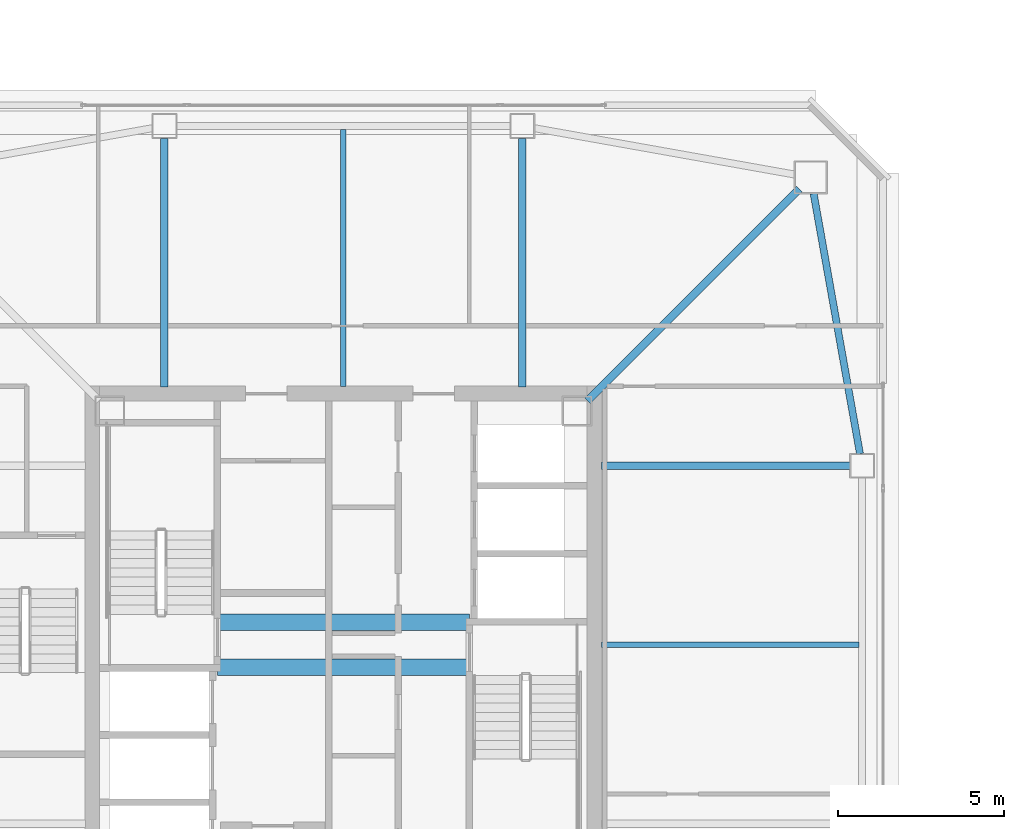
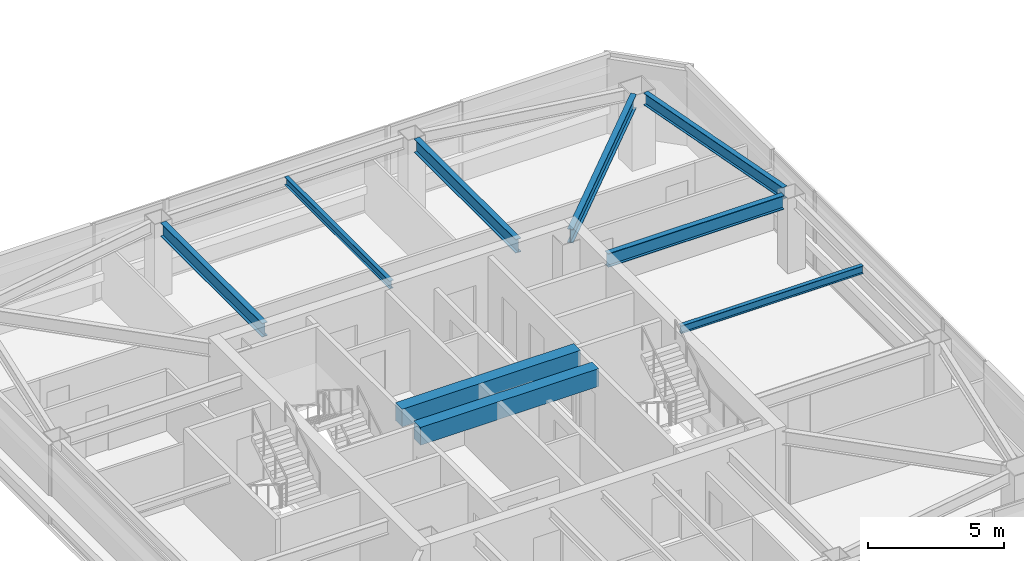
# One storey, part 10 of 40: 9 beams.
"""IFC4 building model written with IfcOpenShell, lengths in metres."""

import ifcopenshell
import ifcopenshell.guid

model = None  # the IFC model being written
_history = None  # IfcOwnerHistory: only IFC2X3 demands one
_inside = {}  # id of a spatial element -> (the spatial element, [elements in it])
_under = {}  # id of a project, library or spatial element -> (it, [spatial elements below it])
_declared = {}  # id of a project -> (the project, [libraries it declares])
_typed = {}  # id of a type object -> (the type object, [elements of that type])
_made_of = {}  # id of a material, layer set ... -> (it, [elements and type objects made of it])


def new_model(schema):
    """Start an empty IFC model of exactly this schema.

    Asked for "IFC4X3", IfcOpenShell would pick the latest addendum, in which some entities
    have other attributes; the version numbers below select the first issue.
    IFC2X3 requires an IfcOwnerHistory on every rooted entity: one is made here for all.
    """
    global model, _history
    if schema == "IFC4X3":
        model = ifcopenshell.file(schema_version=(4, 3, 0, 0))
    else:
        model = ifcopenshell.file(schema=schema)
    _inside.clear()
    _under.clear()
    _declared.clear()
    _typed.clear()
    _made_of.clear()
    _history = None
    if model.schema == "IFC2X3":
        org = make("IfcOrganization", Name="unknown")
        user = make(
            "IfcPersonAndOrganization",
            ThePerson=make("IfcPerson", FamilyName="unknown"),
            TheOrganization=org,
        )
        app = make(
            "IfcApplication",
            ApplicationDeveloper=org,
            Version="unknown",
            ApplicationFullName="unknown",
            ApplicationIdentifier="unknown",
        )
        _history = make(
            "IfcOwnerHistory",
            OwningUser=user,
            OwningApplication=app,
            ChangeAction="ADDED",
            CreationDate=0,
        )
    return model


def make(cls, **values):
    """One entity of the class cls with the attributes given. An attribute that is None is left unset."""
    return model.create_entity(
        cls, **{name: value for name, value in values.items() if value is not None}
    )


def rooted(cls, **values):
    """An entity with a GlobalId (a new one), such as an element, a storey or a relation."""
    return make(cls, GlobalId=ifcopenshell.guid.new(), OwnerHistory=_history, **values)


def si_unit(unit_type, name, prefix=None):
    """IfcSIUnit, for example si_unit("LENGTHUNIT", "METRE", prefix="MILLI")."""
    return make("IfcSIUnit", UnitType=unit_type, Prefix=prefix, Name=name)


def assignment(units):
    """IfcUnitAssignment: the units of a project."""
    return None if units is None else make("IfcUnitAssignment", Units=units)


def point(xyz):
    """IfcCartesianPoint."""
    return None if xyz is None else make("IfcCartesianPoint", Coordinates=xyz)


def direction(xyz):
    """IfcDirection."""
    return None if xyz is None else make("IfcDirection", DirectionRatios=xyz)


def frame(location, z_axis=None, x_axis=None):
    """IfcAxis2Placement3D, a coordinate frame: its origin and axes. An axis left out is left unset."""
    return make(
        "IfcAxis2Placement3D",
        Location=point(location),
        Axis=direction(z_axis),
        RefDirection=direction(x_axis),
    )


def frame_2d(location, x_axis=None):
    """IfcAxis2Placement2D, a coordinate frame in the plane: its origin and x axis."""
    return make(
        "IfcAxis2Placement2D", Location=point(location), RefDirection=direction(x_axis)
    )


def origin():
    """The frame at (0, 0, 0) with its axes left unset."""
    return frame((0.0, 0.0, 0.0))


def origin_2d():
    """The frame at (0, 0) in the plane with its x axis left unset."""
    return frame_2d((0.0, 0.0))


def place(relative_to, where):
    """IfcLocalPlacement: puts the frame where relative to a parent placement (None: the world)."""
    return make(
        "IfcLocalPlacement", PlacementRelTo=relative_to, RelativePlacement=where
    )


def context(
    kind, dimensions, precision=None, world=None, true_north=None, identifier=None
):
    """IfcGeometricRepresentationContext, for example the 3D "Model" context."""
    return make(
        "IfcGeometricRepresentationContext",
        ContextIdentifier=identifier,
        ContextType=kind,
        CoordinateSpaceDimension=dimensions,
        Precision=precision,
        WorldCoordinateSystem=world,
        TrueNorth=true_north,
    )


def subcontext(parent, identifier, kind, view, scale=None):
    """IfcGeometricRepresentationSubContext, for example "Body" below "Model"."""
    return make(
        "IfcGeometricRepresentationSubContext",
        ContextIdentifier=identifier,
        ContextType=kind,
        ParentContext=parent,
        TargetScale=scale,
        TargetView=view,
    )


def project(units=None, contexts=None):
    """IfcProject with its units and contexts."""
    return rooted(
        "IfcProject",
        Name="project",
        RepresentationContexts=contexts,
        UnitsInContext=assignment(units),
    )


def spatial(cls, under=None, at=None, **own):
    """A site, building, storey or space (cls), placed at a placement, below another one or the project."""
    s = rooted(cls, ObjectPlacement=at, **own)
    if under is not None:
        _under.setdefault(under.id(), (under, []))[1].append(s)
    return s


def profile(cls, at=None, kind="AREA", **sizes):
    """A parametric profile (cls). Its sizes go by their IFC names, for example OverallWidth=200.0."""
    return make(cls, ProfileType=kind, Position=at, **sizes)


def rectangle(**sizes):
    """IfcRectangleProfileDef."""
    return profile("IfcRectangleProfileDef", **sizes)


def i_section(**sizes):
    """IfcIShapeProfileDef."""
    return profile("IfcIShapeProfileDef", **sizes)


def extrude(swept, where, along, depth):
    """IfcExtrudedAreaSolid: the profile swept, set in the frame where, extruded along a direction by depth."""
    return make(
        "IfcExtrudedAreaSolid",
        SweptArea=swept,
        Position=where,
        ExtrudedDirection=direction(along),
        Depth=depth,
    )


def shape(context_of_items, identifier, shape_type, items):
    """IfcShapeRepresentation: the items that make up one representation, for example the "Body"."""
    return make(
        "IfcShapeRepresentation",
        ContextOfItems=context_of_items,
        RepresentationIdentifier=identifier,
        RepresentationType=shape_type,
        Items=items,
    )


def material(Name=None, Category=None):
    """IfcMaterial."""
    return make("IfcMaterial", Name=Name, Category=Category)


def material_profile(
    of_material, cross_section, Name=None, Category=None, Priority=None
):
    """IfcMaterialProfile: a cross section and its material."""
    return make(
        "IfcMaterialProfile",
        Name=Name,
        Material=of_material,
        Profile=cross_section,
        Priority=Priority,
        Category=Category,
    )


def profile_set(profiles, Name=None, composite=None):
    """IfcMaterialProfileSet."""
    return make(
        "IfcMaterialProfileSet",
        Name=Name,
        MaterialProfiles=profiles,
        CompositeProfile=composite,
    )


def made_of(thing, what):
    """Note that an element or type object is made of a material, layer set ...; save() writes the relation."""
    if what is not None:
        _made_of.setdefault(what.id(), (what, []))[1].append(thing)
    return thing


def type_object(cls, material=None, **own):
    """A type object (cls), such as IfcWallType, which elements share."""
    return made_of(rooted(cls, **own), material)


def element(
    cls,
    number,
    at=None,
    inside=None,
    cuts=None,
    type_object=None,
    material=None,
    context=None,
    identifier="Body",
    shape_type=None,
    held_by="IfcProductDefinitionShape",
    body=None,
    shapes=None,
    **own,
):
    """One element of the class cls, such as IfcWall. Its Tag is "e" and its number.

    at: its placement. inside: the storey or other place that contains it. cuts: it is an
    opening in that element (IfcRelVoidsElement). A single representation is given by context,
    identifier, shape_type and body (its items); several are given by shapes. held_by: the class
    of the entity that holds the representations. save() writes the other relations.
    """
    e = rooted(cls, Tag="e%d" % number, ObjectPlacement=at, **own)
    if body is not None:
        shapes = [shape(context, identifier, shape_type, body)]
    if shapes is not None:
        e.Representation = make(held_by, Representations=shapes)
    if inside is not None:
        _inside.setdefault(inside.id(), (inside, []))[1].append(e)
    if cuts is not None:
        rooted(
            "IfcRelVoidsElement", RelatingBuildingElement=cuts, RelatedOpeningElement=e
        )
    if type_object is not None:
        _typed.setdefault(type_object.id(), (type_object, []))[1].append(e)
    return made_of(e, material)


def aggregate(whole, parts):
    """IfcRelAggregates: a whole, such as a stair, and the parts it consists of."""
    return rooted("IfcRelAggregates", RelatingObject=whole, RelatedObjects=parts)


def save(model, path):
    """Write the relations noted so far, then the file.

    IfcRelAggregates (storeys below a building ...), IfcRelContainedInSpatialStructure (elements
    in a storey), IfcRelDefinesByType, IfcRelAssociatesMaterial and IfcRelDeclares: one each for
    every whole, place, type object, material and project.
    """
    for whole, parts in _under.values():
        aggregate(whole, parts)
    for where, things in _inside.values():
        rooted(
            "IfcRelContainedInSpatialStructure",
            RelatedElements=things,
            RelatingStructure=where,
        )
    for kind, things in _typed.values():
        rooted("IfcRelDefinesByType", RelatedObjects=things, RelatingType=kind)
    for what, things in _made_of.values():
        rooted("IfcRelAssociatesMaterial", RelatedObjects=things, RelatingMaterial=what)
    for by, libraries in _declared.values():
        rooted("IfcRelDeclares", RelatingContext=by, RelatedDefinitions=libraries)
    model.write(path)


model = new_model("IFC4")

# Units and contexts
model_context = context("Model", 3, precision=1e-05, world=origin(), true_north=direction((0.0, 1.0)))
body_context = subcontext(model_context, "Body", "Model", "MODEL_VIEW")
ifc_project = project(units=[si_unit("LENGTHUNIT", "METRE"), si_unit("AREAUNIT", "SQUARE_METRE"), si_unit("VOLUMEUNIT", "CUBIC_METRE"), si_unit("PLANEANGLEUNIT", "RADIAN"), si_unit("MASSUNIT", "GRAM", prefix="KILO")], contexts=[model_context])

# Site, building, storey
site_placement = place(None, origin())
site = spatial("IfcSite", under=ifc_project, at=site_placement, CompositionType="ELEMENT")
building_placement = place(site_placement, origin())
building = spatial("IfcBuilding", under=site, at=building_placement, Name="Tashvorn Skyway Center", CompositionType="ELEMENT")
storey_placement = place(building_placement, frame((0.0, 0.0, 221.949951171875)))
storey = spatial("IfcBuildingStorey", under=building, at=storey_placement, Name="L60", CompositionType="ELEMENT", Elevation=221.949951171875)

# Beams
ifc_material_1 = material(Name="Steel ASTM A992 Grade 50", Category="steel")
ifc_material_profile_1 = material_profile(ifc_material_1, i_section(OverallWidth=0.22998046875, OverallDepth=0.616943359375, WebThickness=0.01318359375, FlangeThickness=0.022216796875, at=origin_2d()), Name="W24X94")
ifc_profile_set_1 = profile_set([ifc_material_profile_1], Name="Steel ASTM A992 Grade 50")
beam_type_1 = type_object("IfcBeamType", Name="BM-BEAM-W24X94", PredefinedType="BEAM", material=ifc_profile_set_1)
beam_1_placement = place(storey_placement, frame((55.75, 45.75, 3.0615234375), z_axis=(-0.707106781187, -0.707106781187, 0.0), x_axis=(0.707106781187, -0.707106781187, 0.0)))
element("IfcBeam", 1, at=beam_1_placement, inside=storey, type_object=beam_type_1, Name="Tower 1 L60 Primary Floor Girder MC-NE", PredefinedType="BEAM", context=body_context, shape_type="SweptSolid", body=[
    extrude(i_section(OverallWidth=0.22998046875, OverallDepth=0.616943359375, WebThickness=0.01318359375, FlangeThickness=0.022216796875, at=origin_2d()), origin(), (0.0, 0.0, 1.0), 9.030029296875),
])
for number, where, z_axis, x_axis, name in (
    (2, (57.280029296875, 37.39990234375, 3.0615234375), (-1.0, 0.0, 0.0), (0.0, -1.0, 0.0), "Tower 1 L60 Primary Floor Girder FC-E2"),
    (3, (47.39990234375, 47.280029296875, 3.0615234375), (0.0, -1.0, 0.0), (1.0, 0.0, 0.0), "Tower 1 L60 Primary Floor Girder FC-N1"),
    (4, (36.60009765625, 47.280029296875, 3.0615234375), (0.0, -1.0, 0.0), (1.0, 0.0, 0.0), "Tower 1 L60 Primary Floor Girder FC-N2"),
):
    element("IfcBeam", number, at=place(storey_placement, frame(where, z_axis=z_axis, x_axis=x_axis)), inside=storey, type_object=beam_type_1, Name=name, PredefinedType="BEAM", context=body_context, shape_type="SweptSolid", body=[
        extrude(i_section(OverallWidth=0.22998046875, OverallDepth=0.616943359375, WebThickness=0.01318359375, FlangeThickness=0.022216796875, at=origin_2d()), origin(), (0.0, 0.0, 1.0), 7.5),
    ])
ifc_material_profile_2 = material_profile(ifc_material_1, i_section(OverallWidth=0.1708984375, OverallDepth=0.35498046875, WebThickness=0.007080078125, FlangeThickness=0.01171875, at=origin_2d()), Name="W14X34")
ifc_profile_set_2 = profile_set([ifc_material_profile_2], Name="Steel ASTM A992 Grade 50")
beam_type_2 = type_object("IfcBeamType", Name="BM-JOIST-W14X34", PredefinedType="JOIST", material=ifc_profile_set_2)
for number, where, z_axis, x_axis, name in (
    (5, (42.0, 39.7900390625, 3.192626953125), (0.0, 1.0, 0.0), (-1.0, 0.0, 0.0), "Tower 1 L60 Secondary Composite Joist JN"),
    (6, (49.7900390625, 32.0, 3.192626953125), (1.0, 0.0, 0.0), (0.0, 1.0, 0.0), "Tower 1 L60 Secondary Composite Joist JE"),
):
    element("IfcBeam", number, at=place(storey_placement, frame(where, z_axis=z_axis, x_axis=x_axis)), inside=storey, type_object=beam_type_2, Name=name, PredefinedType="JOIST", context=body_context, shape_type="SweptSolid", body=[
        extrude(i_section(OverallWidth=0.1708984375, OverallDepth=0.35498046875, WebThickness=0.007080078125, FlangeThickness=0.01171875, at=origin_2d()), origin(), (0.0, 0.0, 1.0), 7.762451171875),
    ])
ifc_material_2 = material(Name="Concrete C50/60", Category="concrete")
ifc_material_profile_3 = material_profile(ifc_material_2, rectangle(XDim=0.5, YDim=0.800048828125, at=origin_2d()), Name="RCB500x800")
ifc_profile_set_3 = profile_set([ifc_material_profile_3], Name="Concrete C50/60")
beam_type_3 = type_object("IfcBeamType", Name="BM-LINTEL-RCB500x800", PredefinedType="LINTEL", material=ifc_profile_set_3)
for number, where, z_axis, x_axis, name in (
    (7, (38.199951171875, 32.679931640625, 2.969970703125), (1.0, 0.0, 0.0), (0.0, 1.0, 0.0), "Tower 1 L60 Core Coupling Beam CN"),
    (8, (38.199951171875, 31.320068359375, 2.969970703125), (1.0, 0.0, 0.0), (0.0, 1.0, 0.0), "Tower 1 L60 Core Coupling Beam CS"),
):
    element("IfcBeam", number, at=place(storey_placement, frame(where, z_axis=z_axis, x_axis=x_axis)), inside=storey, type_object=beam_type_3, Name=name, PredefinedType="LINTEL", context=body_context, shape_type="SweptSolid", body=[
        extrude(rectangle(XDim=0.5, YDim=0.800048828125, at=origin_2d()), origin(), (0.0, 0.0, 1.0), 7.60009765625),
    ])
ifc_material_profile_4 = material_profile(ifc_material_1, i_section(OverallWidth=0.2109375, OverallDepth=0.5390625, WebThickness=0.01171875, FlangeThickness=0.018798828125, at=origin_2d()), Name="W21X73")
ifc_profile_set_4 = profile_set([ifc_material_profile_4], Name="Steel ASTM A992 Grade 50")
beam_type_4 = type_object("IfcBeamType", Name="BM-SPANDREL-W21X73", PredefinedType="SPANDREL", material=ifc_profile_set_4)
beam_2_placement = place(storey_placement, frame((57.585205078125, 37.76416015625, 3.1005859375), z_axis=(-0.17541329759, 0.984494883191, 0.0), x_axis=(-0.984494883191, -0.17541329759, 0.0)))
element("IfcBeam", 9, at=beam_2_placement, inside=storey, type_object=beam_type_4, Name="Tower 1 L60 Spandrel Beam 06", PredefinedType="SPANDREL", context=body_context, shape_type="SweptSolid", body=[
    extrude(i_section(OverallWidth=0.2109375, OverallDepth=0.5390625, WebThickness=0.01171875, FlangeThickness=0.018798828125, at=origin_2d()), origin(), (0.0, 0.0, 1.0), 7.97216796875),
])

save(model, "model.ifc")
